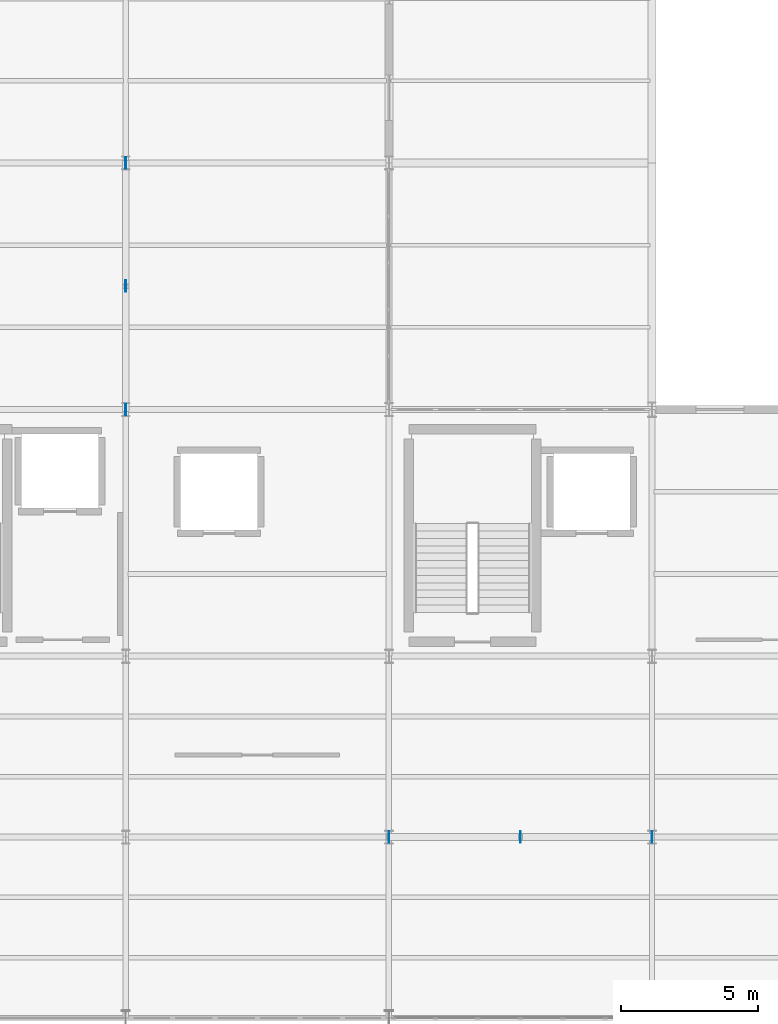
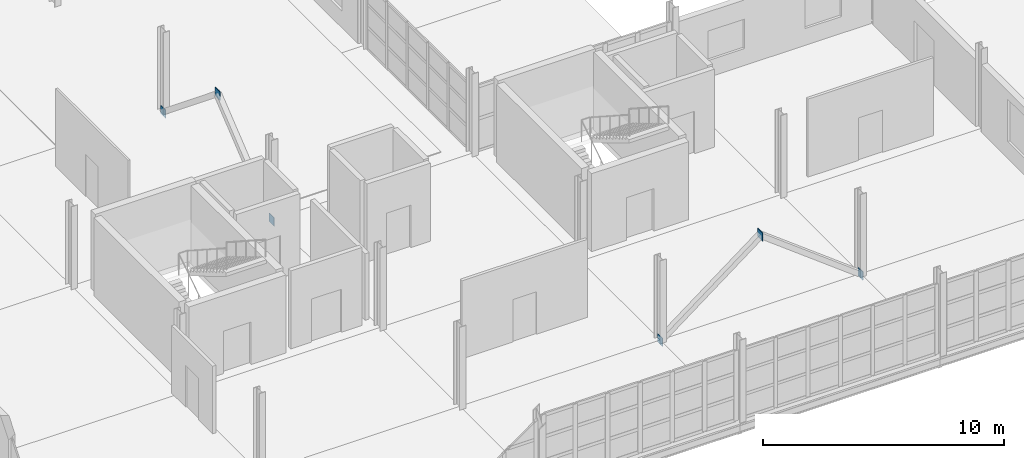
# One storey, part 63 of 82: 6 plates.
"""IFC4 building model written with IfcOpenShell, lengths in metres."""

from ifc_helpers import new_model, si_unit, direction, frame, origin, origin_2d, place, context, subcontext, project, spatial, rectangle, extrude, material, layer, layer_set, type_object, element, save


model = new_model("IFC4")

# Units and contexts
model_context = context("Model", 3, precision=1e-05, world=origin(), true_north=direction((0.0, 1.0)))
body_context = subcontext(model_context, "Body", "Model", "MODEL_VIEW")
ifc_project = project(units=[si_unit("LENGTHUNIT", "METRE"), si_unit("AREAUNIT", "SQUARE_METRE"), si_unit("VOLUMEUNIT", "CUBIC_METRE"), si_unit("PLANEANGLEUNIT", "RADIAN"), si_unit("MASSUNIT", "GRAM", prefix="KILO")], contexts=[model_context])

# Site, building, storey
site_placement = place(None, origin())
site = spatial("IfcSite", under=ifc_project, at=site_placement, CompositionType="ELEMENT")
building_placement = place(site_placement, origin())
building = spatial("IfcBuilding", under=site, at=building_placement, Name="Zarnetskaya Central Station", CompositionType="ELEMENT")
storey_placement = place(building_placement, frame((0.0, 0.0, 10.199951171875)))
storey = spatial("IfcBuildingStorey", under=building, at=storey_placement, Name="L02", CompositionType="ELEMENT", Elevation=10.199951171875)

# Plates
ifc_material = material(Name="Steel S355", Category="steel")
ifc_layer = layer(ifc_material, 0.028076171875, Name="Steel S355", Category="steel")
ifc_layer_set = layer_set([ifc_layer], Name="Steel S355")
plate_type = type_object("IfcPlateType", Name="ND-GUSSET-28", PredefinedType="USERDEFINED", material=ifc_layer_set)
for number, where, z_axis, x_axis, name in (
    (1, (19.199951171875, 22.199951171875, -0.2099609375), (0.0, 0.0, 1.0), (1.0, 0.0, 0.0), "Structural member end gusset plate 119"),
    (2, (19.199951171875, 26.699951171875, 3.440185546875), (0.0, 0.0, 1.0), (1.0, 0.0, 0.0), "Structural member end gusset plate 120"),
    (3, (19.199951171875, 31.199951171875, -0.2099609375), (0.0, 0.0, 1.0), (1.0, 0.0, 0.0), "Structural member end gusset plate 121"),
    (4, (28.800048828125, 6.60009765625, -0.2099609375), (0.0, 0.0, 1.0), (1.0, 0.0, 0.0), "Structural member end gusset plate 131"),
    (5, (33.60009765625, 6.60009765625, 3.440185546875), (0.0, 0.0, 1.0), (1.0, 0.0, 0.0), "Structural member end gusset plate 132"),
    (6, (38.39990234375, 6.60009765625, -0.2099609375), (0.0, 0.0, 1.0), (1.0, 0.0, 0.0), "Structural member end gusset plate 133"),
):
    element("IfcPlate", number, at=place(storey_placement, frame(where, z_axis=z_axis, x_axis=x_axis)), inside=storey, type_object=plate_type, Name=name, ObjectType="GUSSET PLATE", PredefinedType="USERDEFINED", context=body_context, shape_type="SweptSolid", body=[
        extrude(rectangle(XDim=0.028076171875, YDim=0.419921875, at=origin_2d()), origin(), (0.0, 0.0, 1.0), 0.419921875),
    ])

save(model, "model.ifc")
